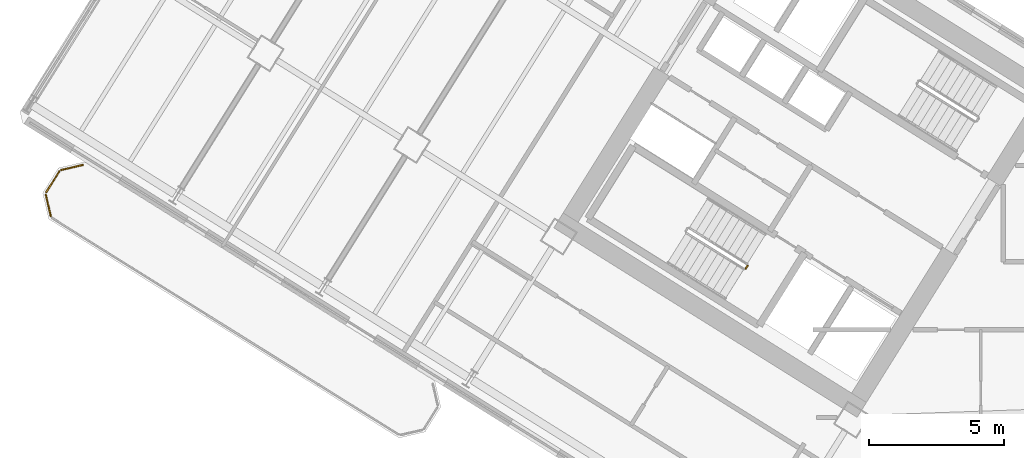
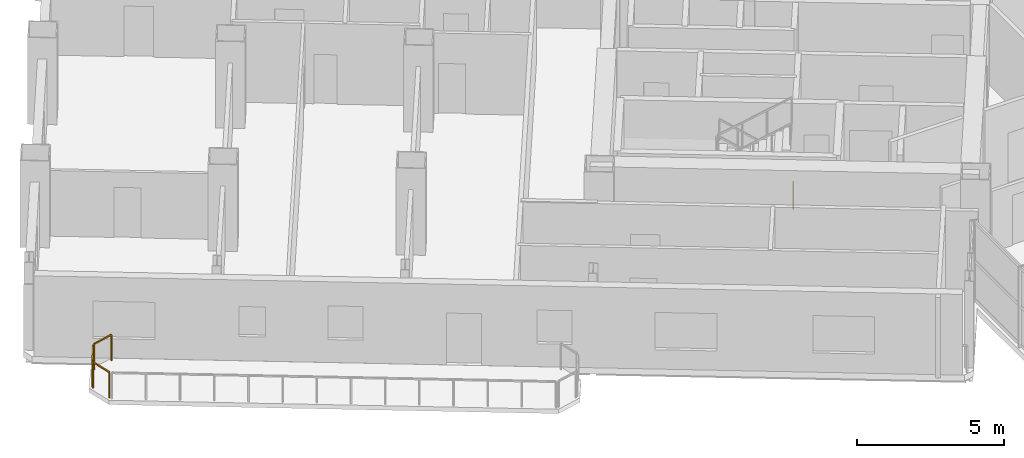
# One storey, part 22 of 28: 4 railings.
"""IFC4 building model written with IfcOpenShell, lengths in metres."""

from ifc_helpers import new_model, si_unit, direction, frame, origin, origin_2d, place, context, subcontext, project, spatial, rectangle, extrude, source, transform, mapped, material, type_object, element, save


model = new_model("IFC4")

# Units and contexts
model_context = context("Model", 3, precision=1e-05, world=origin(), true_north=direction((0.0, 1.0)))
body_context = subcontext(model_context, "Body", "Model", "MODEL_VIEW")
ifc_project = project(units=[si_unit("LENGTHUNIT", "METRE"), si_unit("AREAUNIT", "SQUARE_METRE"), si_unit("VOLUMEUNIT", "CUBIC_METRE"), si_unit("PLANEANGLEUNIT", "RADIAN"), si_unit("MASSUNIT", "GRAM", prefix="KILO")], contexts=[model_context])

# Site, building, storey
site_placement = place(None, origin())
site = spatial("IfcSite", under=ifc_project, at=site_placement, CompositionType="ELEMENT")
building_placement = place(site_placement, origin())
building = spatial("IfcBuilding", under=site, at=building_placement, Name="Tlacorven Tower", CompositionType="ELEMENT")
storey_placement = place(building_placement, frame((0.0, 0.0, 42.0)))
storey = spatial("IfcBuildingStorey", under=building, at=storey_placement, Name="L10", CompositionType="ELEMENT", Elevation=42.0)

# Railings
ifc_material = material(Name="Aluminium and painted steel balustrade", Category="steel")
railing_type_1 = type_object("IfcRailingType", Name="RL-BAL-1100", PredefinedType="BALUSTRADE", material=ifc_material)
shared_shape_1 = source(origin(), body_context, "Body", "SweptSolid", [
    extrude(rectangle(XDim=0.048095703125, YDim=0.048095703125, at=origin_2d()), frame((0.0, 0.0, 1.076171875), z_axis=(-0.225058334816, 0.974345290916, 0.0), x_axis=(-0.974345290916, -0.225058334816, 0.0)), (0.0, 0.0, 1.0), 0.80712890625),
    extrude(rectangle(XDim=0.0419921875, YDim=0.0419921875, at=origin_2d()), origin(), (0.0, 0.0, 1.0), 1.052001953125),
    extrude(rectangle(XDim=0.0419921875, YDim=0.0419921875, at=origin_2d()), frame((-0.181640625, 0.786376953125, 0.0)), (0.0, 0.0, 1.0), 1.052001953125),
])
railing_1_placement = place(storey_placement, frame((3.380859375, 19.62841796875, 0.0)))
element("IfcRailing", 1, at=railing_1_placement, inside=storey, type_object=railing_type_1, Name="BAL-L10-W-OUT Guard Railing 5", PredefinedType="BALUSTRADE", context=body_context, shape_type="MappedRepresentation", body=[
    mapped(shared_shape_1, transform((0.0, 0.0, 0.0), scale=1.0)),
])
shared_shape_2 = source(origin(), body_context, "Body", "SweptSolid", [
    extrude(rectangle(XDim=0.048095703125, YDim=0.048095703125, at=origin_2d()), frame((0.0, 0.0, 1.076171875), z_axis=(0.52987865805, 0.848073468364, 0.0), x_axis=(-0.848073468364, 0.52987865805, 0.0)), (0.0, 0.0, 1.0), 0.912353515625),
    extrude(rectangle(XDim=0.0419921875, YDim=0.0419921875, at=origin_2d()), origin(), (0.0, 0.0, 1.0), 1.052001953125),
    extrude(rectangle(XDim=0.0419921875, YDim=0.0419921875, at=origin_2d()), frame((0.4833984375, 0.773681640625, 0.0)), (0.0, 0.0, 1.0), 1.052001953125),
])
railing_2_placement = place(storey_placement, frame((3.214599609375, 20.505859375, 0.0)))
element("IfcRailing", 2, at=railing_2_placement, inside=storey, type_object=railing_type_1, Name="BAL-L10-W-OUT Guard Railing 6", PredefinedType="BALUSTRADE", context=body_context, shape_type="MappedRepresentation", body=[
    mapped(shared_shape_2, transform((0.0, 0.0, 0.0), scale=1.0)),
])
shared_shape_3 = source(origin(), body_context, "Body", "SweptSolid", [
    extrude(rectangle(XDim=0.048095703125, YDim=0.048095703125, at=origin_2d()), frame((0.0, 0.0, 1.076171875), z_axis=(0.974345290916, 0.225058334816, 0.0), x_axis=(-0.225058334816, 0.974345290916, 0.0)), (0.0, 0.0, 1.0), 0.80712890625),
    extrude(rectangle(XDim=0.0419921875, YDim=0.0419921875, at=origin_2d()), origin(), (0.0, 0.0, 1.0), 1.052001953125),
    extrude(rectangle(XDim=0.0419921875, YDim=0.0419921875, at=origin_2d()), frame((0.786376953125, 0.181640625, 0.0)), (0.0, 0.0, 1.0), 1.052001953125),
])
railing_3_placement = place(storey_placement, frame((3.773193359375, 21.3330078125, 0.0)))
element("IfcRailing", 3, at=railing_3_placement, inside=storey, type_object=railing_type_1, Name="BAL-L10-W-OUT Guard Railing 7", PredefinedType="BALUSTRADE", context=body_context, shape_type="MappedRepresentation", body=[
    mapped(shared_shape_3, transform((0.0, 0.0, 0.0), scale=1.0)),
])
railing_type_2 = type_object("IfcRailingType", Name="RL-GRD-1100", PredefinedType="GUARDRAIL", material=ifc_material)
shared_shape_4 = source(origin(), body_context, "Body", "SweptSolid", [
    extrude(rectangle(XDim=0.048095703125, YDim=0.048095703125, at=origin_2d()), frame((0.0, 0.0, 1.076171875), z_axis=(-0.529084052582, -0.848569422795, 0.0), x_axis=(0.848569422795, -0.529084052582, 0.0)), (0.0, 0.0, 1.0), 0.119873046875),
    extrude(rectangle(XDim=0.0419921875, YDim=0.0419921875, at=origin_2d()), origin(), (0.0, 0.0, 1.0), 1.052001953125),
    extrude(rectangle(XDim=0.0419921875, YDim=0.0419921875, at=origin_2d()), frame((-0.0634765625, -0.101806640625, 0.0)), (0.0, 0.0, 1.0), 1.052001953125),
])
railing_4_placement = place(storey_placement, frame((29.176513671875, 17.782958984375, 0.0)))
element("IfcRailing", 4, at=railing_4_placement, inside=storey, type_object=railing_type_2, Name="L10 ST-W1 stair guard 4", PredefinedType="GUARDRAIL", context=body_context, shape_type="MappedRepresentation", body=[
    mapped(shared_shape_4, transform((0.0, 0.0, 0.0), scale=1.0)),
])

save(model, "model.ifc")
